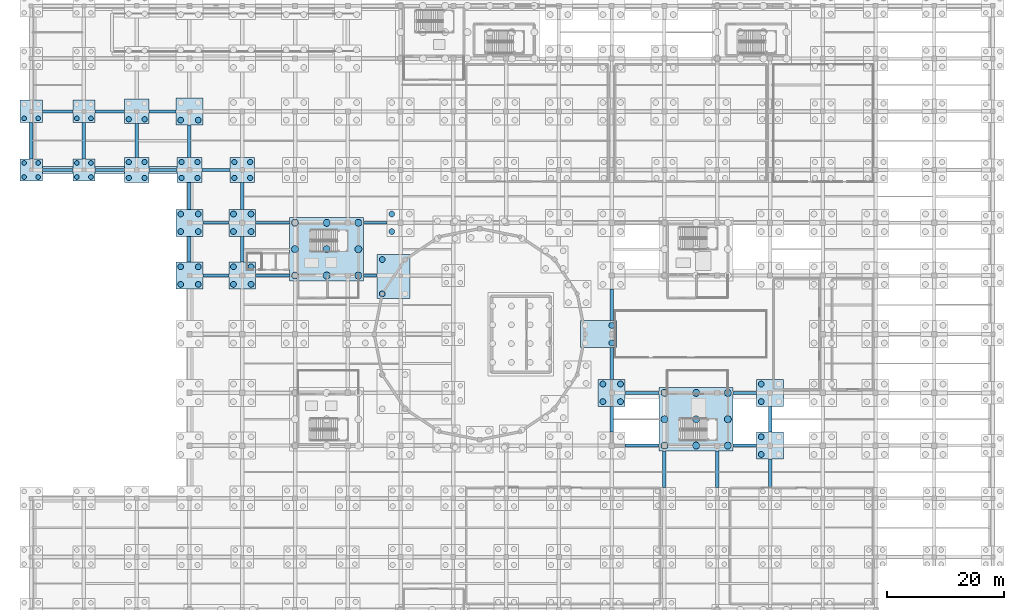
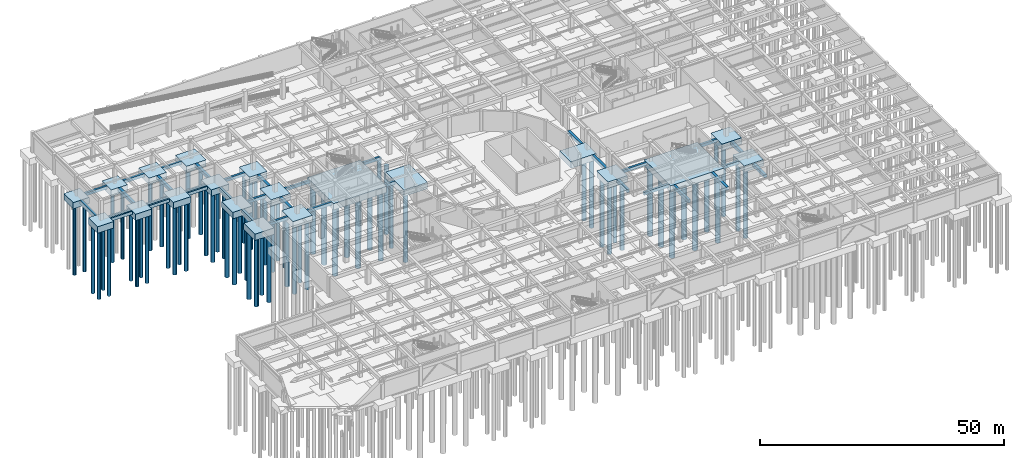
# One storey, part 5 of 62: 76 piles, 53 footings.
"""IFC4 building model written with IfcOpenShell, lengths in metres."""

import ifcopenshell
import ifcopenshell.guid

model = None  # the IFC model being written
_history = None  # IfcOwnerHistory: only IFC2X3 demands one
_inside = {}  # id of a spatial element -> (the spatial element, [elements in it])
_under = {}  # id of a project, library or spatial element -> (it, [spatial elements below it])
_declared = {}  # id of a project -> (the project, [libraries it declares])
_typed = {}  # id of a type object -> (the type object, [elements of that type])
_made_of = {}  # id of a material, layer set ... -> (it, [elements and type objects made of it])


def new_model(schema):
    """Start an empty IFC model of exactly this schema.

    Asked for "IFC4X3", IfcOpenShell would pick the latest addendum, in which some entities
    have other attributes; the version numbers below select the first issue.
    IFC2X3 requires an IfcOwnerHistory on every rooted entity: one is made here for all.
    """
    global model, _history
    if schema == "IFC4X3":
        model = ifcopenshell.file(schema_version=(4, 3, 0, 0))
    else:
        model = ifcopenshell.file(schema=schema)
    _inside.clear()
    _under.clear()
    _declared.clear()
    _typed.clear()
    _made_of.clear()
    _history = None
    if model.schema == "IFC2X3":
        org = make("IfcOrganization", Name="unknown")
        user = make(
            "IfcPersonAndOrganization",
            ThePerson=make("IfcPerson", FamilyName="unknown"),
            TheOrganization=org,
        )
        app = make(
            "IfcApplication",
            ApplicationDeveloper=org,
            Version="unknown",
            ApplicationFullName="unknown",
            ApplicationIdentifier="unknown",
        )
        _history = make(
            "IfcOwnerHistory",
            OwningUser=user,
            OwningApplication=app,
            ChangeAction="ADDED",
            CreationDate=0,
        )
    return model


def make(cls, **values):
    """One entity of the class cls with the attributes given. An attribute that is None is left unset."""
    return model.create_entity(
        cls, **{name: value for name, value in values.items() if value is not None}
    )


def rooted(cls, **values):
    """An entity with a GlobalId (a new one), such as an element, a storey or a relation."""
    return make(cls, GlobalId=ifcopenshell.guid.new(), OwnerHistory=_history, **values)


def si_unit(unit_type, name, prefix=None):
    """IfcSIUnit, for example si_unit("LENGTHUNIT", "METRE", prefix="MILLI")."""
    return make("IfcSIUnit", UnitType=unit_type, Prefix=prefix, Name=name)


def assignment(units):
    """IfcUnitAssignment: the units of a project."""
    return None if units is None else make("IfcUnitAssignment", Units=units)


def point(xyz):
    """IfcCartesianPoint."""
    return None if xyz is None else make("IfcCartesianPoint", Coordinates=xyz)


def direction(xyz):
    """IfcDirection."""
    return None if xyz is None else make("IfcDirection", DirectionRatios=xyz)


def frame(location, z_axis=None, x_axis=None):
    """IfcAxis2Placement3D, a coordinate frame: its origin and axes. An axis left out is left unset."""
    return make(
        "IfcAxis2Placement3D",
        Location=point(location),
        Axis=direction(z_axis),
        RefDirection=direction(x_axis),
    )


def frame_2d(location, x_axis=None):
    """IfcAxis2Placement2D, a coordinate frame in the plane: its origin and x axis."""
    return make(
        "IfcAxis2Placement2D", Location=point(location), RefDirection=direction(x_axis)
    )


def origin():
    """The frame at (0, 0, 0) with its axes left unset."""
    return frame((0.0, 0.0, 0.0))


def origin_2d():
    """The frame at (0, 0) in the plane with its x axis left unset."""
    return frame_2d((0.0, 0.0))


def place(relative_to, where):
    """IfcLocalPlacement: puts the frame where relative to a parent placement (None: the world)."""
    return make(
        "IfcLocalPlacement", PlacementRelTo=relative_to, RelativePlacement=where
    )


def context(
    kind, dimensions, precision=None, world=None, true_north=None, identifier=None
):
    """IfcGeometricRepresentationContext, for example the 3D "Model" context."""
    return make(
        "IfcGeometricRepresentationContext",
        ContextIdentifier=identifier,
        ContextType=kind,
        CoordinateSpaceDimension=dimensions,
        Precision=precision,
        WorldCoordinateSystem=world,
        TrueNorth=true_north,
    )


def subcontext(parent, identifier, kind, view, scale=None):
    """IfcGeometricRepresentationSubContext, for example "Body" below "Model"."""
    return make(
        "IfcGeometricRepresentationSubContext",
        ContextIdentifier=identifier,
        ContextType=kind,
        ParentContext=parent,
        TargetScale=scale,
        TargetView=view,
    )


def project(units=None, contexts=None):
    """IfcProject with its units and contexts."""
    return rooted(
        "IfcProject",
        Name="project",
        RepresentationContexts=contexts,
        UnitsInContext=assignment(units),
    )


def spatial(cls, under=None, at=None, **own):
    """A site, building, storey or space (cls), placed at a placement, below another one or the project."""
    s = rooted(cls, ObjectPlacement=at, **own)
    if under is not None:
        _under.setdefault(under.id(), (under, []))[1].append(s)
    return s


def polyline(points):
    """IfcPolyline through the points."""
    return make("IfcPolyline", Points=[point(p) for p in points])


def profile(cls, at=None, kind="AREA", **sizes):
    """A parametric profile (cls). Its sizes go by their IFC names, for example OverallWidth=200.0."""
    return make(cls, ProfileType=kind, Position=at, **sizes)


def rectangle(**sizes):
    """IfcRectangleProfileDef."""
    return profile("IfcRectangleProfileDef", **sizes)


def circle(**sizes):
    """IfcCircleProfileDef."""
    return profile("IfcCircleProfileDef", **sizes)


def outline(outer, holes=None, kind="AREA"):
    """IfcArbitraryClosedProfileDef: a profile drawn as a closed curve; with holes, ...WithVoids."""
    if holes is None:
        return make("IfcArbitraryClosedProfileDef", ProfileType=kind, OuterCurve=outer)
    return make(
        "IfcArbitraryProfileDefWithVoids",
        ProfileType=kind,
        OuterCurve=outer,
        InnerCurves=holes,
    )


def extrude(swept, where, along, depth):
    """IfcExtrudedAreaSolid: the profile swept, set in the frame where, extruded along a direction by depth."""
    return make(
        "IfcExtrudedAreaSolid",
        SweptArea=swept,
        Position=where,
        ExtrudedDirection=direction(along),
        Depth=depth,
    )


def shape(context_of_items, identifier, shape_type, items):
    """IfcShapeRepresentation: the items that make up one representation, for example the "Body"."""
    return make(
        "IfcShapeRepresentation",
        ContextOfItems=context_of_items,
        RepresentationIdentifier=identifier,
        RepresentationType=shape_type,
        Items=items,
    )


def material(Name=None, Category=None):
    """IfcMaterial."""
    return make("IfcMaterial", Name=Name, Category=Category)


def material_profile(
    of_material, cross_section, Name=None, Category=None, Priority=None
):
    """IfcMaterialProfile: a cross section and its material."""
    return make(
        "IfcMaterialProfile",
        Name=Name,
        Material=of_material,
        Profile=cross_section,
        Priority=Priority,
        Category=Category,
    )


def profile_set(profiles, Name=None, composite=None):
    """IfcMaterialProfileSet."""
    return make(
        "IfcMaterialProfileSet",
        Name=Name,
        MaterialProfiles=profiles,
        CompositeProfile=composite,
    )


def made_of(thing, what):
    """Note that an element or type object is made of a material, layer set ...; save() writes the relation."""
    if what is not None:
        _made_of.setdefault(what.id(), (what, []))[1].append(thing)
    return thing


def type_object(cls, material=None, **own):
    """A type object (cls), such as IfcWallType, which elements share."""
    return made_of(rooted(cls, **own), material)


def element(
    cls,
    number,
    at=None,
    inside=None,
    cuts=None,
    type_object=None,
    material=None,
    context=None,
    identifier="Body",
    shape_type=None,
    held_by="IfcProductDefinitionShape",
    body=None,
    shapes=None,
    **own,
):
    """One element of the class cls, such as IfcWall. Its Tag is "e" and its number.

    at: its placement. inside: the storey or other place that contains it. cuts: it is an
    opening in that element (IfcRelVoidsElement). A single representation is given by context,
    identifier, shape_type and body (its items); several are given by shapes. held_by: the class
    of the entity that holds the representations. save() writes the other relations.
    """
    e = rooted(cls, Tag="e%d" % number, ObjectPlacement=at, **own)
    if body is not None:
        shapes = [shape(context, identifier, shape_type, body)]
    if shapes is not None:
        e.Representation = make(held_by, Representations=shapes)
    if inside is not None:
        _inside.setdefault(inside.id(), (inside, []))[1].append(e)
    if cuts is not None:
        rooted(
            "IfcRelVoidsElement", RelatingBuildingElement=cuts, RelatedOpeningElement=e
        )
    if type_object is not None:
        _typed.setdefault(type_object.id(), (type_object, []))[1].append(e)
    return made_of(e, material)


def aggregate(whole, parts):
    """IfcRelAggregates: a whole, such as a stair, and the parts it consists of."""
    return rooted("IfcRelAggregates", RelatingObject=whole, RelatedObjects=parts)


def save(model, path):
    """Write the relations noted so far, then the file.

    IfcRelAggregates (storeys below a building ...), IfcRelContainedInSpatialStructure (elements
    in a storey), IfcRelDefinesByType, IfcRelAssociatesMaterial and IfcRelDeclares: one each for
    every whole, place, type object, material and project.
    """
    for whole, parts in _under.values():
        aggregate(whole, parts)
    for where, things in _inside.values():
        rooted(
            "IfcRelContainedInSpatialStructure",
            RelatedElements=things,
            RelatingStructure=where,
        )
    for kind, things in _typed.values():
        rooted("IfcRelDefinesByType", RelatedObjects=things, RelatingType=kind)
    for what, things in _made_of.values():
        rooted("IfcRelAssociatesMaterial", RelatedObjects=things, RelatingMaterial=what)
    for by, libraries in _declared.values():
        rooted("IfcRelDeclares", RelatingContext=by, RelatedDefinitions=libraries)
    model.write(path)


model = new_model("IFC4")

# Units and contexts
model_context = context("Model", 3, precision=1e-05, world=origin(), true_north=direction((0.0, 1.0)))
body_context = subcontext(model_context, "Body", "Model", "MODEL_VIEW")
ifc_project = project(units=[si_unit("LENGTHUNIT", "METRE"), si_unit("AREAUNIT", "SQUARE_METRE"), si_unit("VOLUMEUNIT", "CUBIC_METRE"), si_unit("PLANEANGLEUNIT", "RADIAN"), si_unit("MASSUNIT", "GRAM", prefix="KILO")], contexts=[model_context])

# Site, building, storey
site_placement = place(None, origin())
site = spatial("IfcSite", under=ifc_project, at=site_placement, CompositionType="ELEMENT")
building_placement = place(site_placement, origin())
building = spatial("IfcBuilding", under=site, at=building_placement, Name="Miravela Opera House", CompositionType="ELEMENT")
storey_placement = place(building_placement, frame((0.0, 0.0, -5.10009765625)))
storey = spatial("IfcBuildingStorey", under=building, at=storey_placement, Name="B01", CompositionType="ELEMENT", Elevation=-5.10009765625)

# Footings
ifc_material = material(Name="Concrete C35/45", Category="concrete")
footing_type_1 = type_object("IfcFootingType", Name="STR-GB-500X750", PredefinedType="FOOTING_BEAM", material=ifc_material)
footing_1_placement = place(storey_placement, frame((0.0, 0.0, -0.75)))
element("IfcFooting", 1, at=footing_1_placement, inside=storey, type_object=footing_type_1, Name="Seismic Grade Tie Beam GB-X-254", PredefinedType="FOOTING_BEAM", context=body_context, shape_type="SweptSolid", body=[
    extrude(outline(polyline([(101.300048828125, 36.75), (107.10009765625, 36.75), (107.10009765625, 37.25), (101.300048828125, 37.25), (101.300048828125, 36.75)])), origin(), (0.0, 0.0, 1.0), 0.75),
])
footing_2_placement = place(storey_placement, frame((0.0, 0.0, -0.75)))
element("IfcFooting", 2, at=footing_2_placement, inside=storey, type_object=footing_type_1, Name="Seismic Grade Tie Beam GB-X-255", PredefinedType="FOOTING_BEAM", context=body_context, shape_type="SweptSolid", body=[
    extrude(outline(polyline([(119.699951171875, 36.75), (123.699951171875, 36.75), (123.699951171875, 37.25), (119.699951171875, 37.25), (119.699951171875, 36.75)])), origin(), (0.0, 0.0, 1.0), 0.75),
])
footing_3_placement = place(storey_placement, frame((0.0, 0.0, -0.75)))
element("IfcFooting", 3, at=footing_3_placement, inside=storey, type_object=footing_type_1, Name="Seismic Grade Tie Beam GB-X-264", PredefinedType="FOOTING_BEAM", context=body_context, shape_type="SweptSolid", body=[
    extrude(outline(polyline([(101.300048828125, 45.75), (107.10009765625, 45.75), (107.10009765625, 46.25), (101.300048828125, 46.25), (101.300048828125, 45.75)])), origin(), (0.0, 0.0, 1.0), 0.75),
])
footing_4_placement = place(storey_placement, frame((0.0, 0.0, -0.75)))
element("IfcFooting", 4, at=footing_4_placement, inside=storey, type_object=footing_type_1, Name="Seismic Grade Tie Beam GB-X-265", PredefinedType="FOOTING_BEAM", context=body_context, shape_type="SweptSolid", body=[
    extrude(outline(polyline([(119.699951171875, 45.75), (123.699951171875, 45.75), (123.699951171875, 46.25), (119.699951171875, 46.25), (119.699951171875, 45.75)])), origin(), (0.0, 0.0, 1.0), 0.75),
])
footing_5_placement = place(storey_placement, frame((0.0, 0.0, -0.75)))
element("IfcFooting", 5, at=footing_5_placement, inside=storey, type_object=footing_type_1, Name="Seismic Grade Tie Beam GB-X-277", PredefinedType="FOOTING_BEAM", context=body_context, shape_type="SweptSolid", body=[
    extrude(outline(polyline([(29.300048828125, 65.75), (33.699951171875, 65.75), (33.699951171875, 66.25), (29.300048828125, 66.25), (29.300048828125, 65.75)])), origin(), (0.0, 0.0, 1.0), 0.75),
])
footing_6_placement = place(storey_placement, frame((0.0, 0.0, -0.75)))
element("IfcFooting", 6, at=footing_6_placement, inside=storey, type_object=footing_type_1, Name="Seismic Grade Tie Beam GB-X-278", PredefinedType="FOOTING_BEAM", context=body_context, shape_type="SweptSolid", body=[
    extrude(outline(polyline([(38.300048828125, 65.75), (44.10009765625, 65.75), (44.10009765625, 66.25), (38.300048828125, 66.25), (38.300048828125, 65.75)])), origin(), (0.0, 0.0, 1.0), 0.75),
])
footing_7_placement = place(storey_placement, frame((0.0, 0.0, -0.75)))
element("IfcFooting", 7, at=footing_7_placement, inside=storey, type_object=footing_type_1, Name="Seismic Grade Tie Beam GB-X-279", PredefinedType="FOOTING_BEAM", context=body_context, shape_type="SweptSolid", body=[
    extrude(outline(polyline([(56.699951171875, 65.75), (59.02099609375, 65.75), (59.02099609375, 66.25), (56.699951171875, 66.25), (56.699951171875, 65.75)])), origin(), (0.0, 0.0, 1.0), 0.75),
])
footing_8_placement = place(storey_placement, frame((0.0, 0.0, -0.75)))
element("IfcFooting", 8, at=footing_8_placement, inside=storey, type_object=footing_type_1, Name="Seismic Grade Tie Beam GB-X-287", PredefinedType="FOOTING_BEAM", context=body_context, shape_type="SweptSolid", body=[
    extrude(outline(polyline([(29.300048828125, 74.75), (33.699951171875, 74.75), (33.699951171875, 75.25), (29.300048828125, 75.25), (29.300048828125, 74.75)])), origin(), (0.0, 0.0, 1.0), 0.75),
])
footing_9_placement = place(storey_placement, frame((0.0, 0.0, -0.75)))
element("IfcFooting", 9, at=footing_9_placement, inside=storey, type_object=footing_type_1, Name="Seismic Grade Tie Beam GB-X-288", PredefinedType="FOOTING_BEAM", context=body_context, shape_type="SweptSolid", body=[
    extrude(outline(polyline([(38.300048828125, 74.75), (44.10009765625, 74.75), (44.10009765625, 75.25), (38.300048828125, 75.25), (38.300048828125, 74.75)])), origin(), (0.0, 0.0, 1.0), 0.75),
])
footing_10_placement = place(storey_placement, frame((0.0, 0.0, -0.75)))
element("IfcFooting", 10, at=footing_10_placement, inside=storey, type_object=footing_type_1, Name="Seismic Grade Tie Beam GB-X-289", PredefinedType="FOOTING_BEAM", context=body_context, shape_type="SweptSolid", body=[
    extrude(outline(polyline([(56.699951171875, 74.75), (60.699951171875, 74.75), (60.699951171875, 75.25), (56.699951171875, 75.25), (56.699951171875, 74.75)])), origin(), (0.0, 0.0, 1.0), 0.75),
])
footing_11_placement = place(storey_placement, frame((0.0, 0.0, -0.75)))
element("IfcFooting", 11, at=footing_11_placement, inside=storey, type_object=footing_type_1, Name="Seismic Grade Tie Beam GB-X-301", PredefinedType="FOOTING_BEAM", context=body_context, shape_type="SweptSolid", body=[
    extrude(outline(polyline([(1.89990234375, 83.75), (7.10009765625, 83.75), (7.10009765625, 84.25), (1.89990234375, 84.25), (1.89990234375, 83.75)])), origin(), (0.0, 0.0, 1.0), 0.75),
])
footing_12_placement = place(storey_placement, frame((0.0, 0.0, -0.75)))
element("IfcFooting", 12, at=footing_12_placement, inside=storey, type_object=footing_type_1, Name="Seismic Grade Tie Beam GB-X-302", PredefinedType="FOOTING_BEAM", context=body_context, shape_type="SweptSolid", body=[
    extrude(outline(polyline([(10.89990234375, 83.75), (15.89990234375, 83.75), (15.89990234375, 84.25), (10.89990234375, 84.25), (10.89990234375, 83.75)])), origin(), (0.0, 0.0, 1.0), 0.75),
])
footing_13_placement = place(storey_placement, frame((0.0, 0.0, -0.75)))
element("IfcFooting", 13, at=footing_13_placement, inside=storey, type_object=footing_type_1, Name="Seismic Grade Tie Beam GB-X-303", PredefinedType="FOOTING_BEAM", context=body_context, shape_type="SweptSolid", body=[
    extrude(outline(polyline([(20.10009765625, 83.75), (24.89990234375, 83.75), (24.89990234375, 84.25), (20.10009765625, 84.25), (20.10009765625, 83.75)])), origin(), (0.0, 0.0, 1.0), 0.75),
])
footing_14_placement = place(storey_placement, frame((0.0, 0.0, -0.75)))
element("IfcFooting", 14, at=footing_14_placement, inside=storey, type_object=footing_type_1, Name="Seismic Grade Tie Beam GB-X-304", PredefinedType="FOOTING_BEAM", context=body_context, shape_type="SweptSolid", body=[
    extrude(outline(polyline([(29.10009765625, 83.75), (33.89990234375, 83.75), (33.89990234375, 84.25), (29.10009765625, 84.25), (29.10009765625, 83.75)])), origin(), (0.0, 0.0, 1.0), 0.75),
])
footing_15_placement = place(storey_placement, frame((0.0, 0.0, -0.75)))
element("IfcFooting", 15, at=footing_15_placement, inside=storey, type_object=footing_type_1, Name="Seismic Grade Tie Beam GB-X-319", PredefinedType="FOOTING_BEAM", context=body_context, shape_type="SweptSolid", body=[
    extrude(outline(polyline([(1.89990234375, 93.75), (7.10009765625, 93.75), (7.10009765625, 94.25), (1.89990234375, 94.25), (1.89990234375, 93.75)])), origin(), (0.0, 0.0, 1.0), 0.75),
])
footing_16_placement = place(storey_placement, frame((0.0, 0.0, -0.75)))
element("IfcFooting", 16, at=footing_16_placement, inside=storey, type_object=footing_type_1, Name="Seismic Grade Tie Beam GB-X-320", PredefinedType="FOOTING_BEAM", context=body_context, shape_type="SweptSolid", body=[
    extrude(outline(polyline([(10.89990234375, 93.75), (15.89990234375, 93.75), (15.89990234375, 94.25), (10.89990234375, 94.25), (10.89990234375, 93.75)])), origin(), (0.0, 0.0, 1.0), 0.75),
])
footing_17_placement = place(storey_placement, frame((0.0, 0.0, -0.75)))
element("IfcFooting", 17, at=footing_17_placement, inside=storey, type_object=footing_type_1, Name="Seismic Grade Tie Beam GB-X-321", PredefinedType="FOOTING_BEAM", context=body_context, shape_type="SweptSolid", body=[
    extrude(outline(polyline([(20.10009765625, 93.75), (24.699951171875, 93.75), (24.699951171875, 94.25), (20.10009765625, 94.25), (20.10009765625, 93.75)])), origin(), (0.0, 0.0, 1.0), 0.75),
])
footing_type_2 = type_object("IfcFootingType", Name="STR-GB-600X800", PredefinedType="FOOTING_BEAM", material=ifc_material)
footing_18_placement = place(storey_placement, frame((0.0, 0.0, -0.7998046875)))
element("IfcFooting", 18, at=footing_18_placement, inside=storey, type_object=footing_type_2, Name="Seismic Grade Tie Beam GB-Y-004", PredefinedType="FOOTING_BEAM", context=body_context, shape_type="SweptSolid", body=[
    extrude(outline(polyline([(-0.300048828125, 85.89990234375), (0.300048828125, 85.89990234375), (0.300048828125, 92.10009765625), (-0.300048828125, 92.10009765625), (-0.300048828125, 85.89990234375)])), origin(), (0.0, 0.0, 1.0), 0.7998046875),
])
footing_19_placement = place(storey_placement, frame((0.0, 0.0, -0.7998046875)))
element("IfcFooting", 19, at=footing_19_placement, inside=storey, type_object=footing_type_2, Name="Seismic Grade Tie Beam GB-Y-010", PredefinedType="FOOTING_BEAM", context=body_context, shape_type="SweptSolid", body=[
    extrude(outline(polyline([(8.699951171875, 85.89990234375), (9.300048828125, 85.89990234375), (9.300048828125, 92.10009765625), (8.699951171875, 92.10009765625), (8.699951171875, 85.89990234375)])), origin(), (0.0, 0.0, 1.0), 0.7998046875),
])
footing_20_placement = place(storey_placement, frame((0.0, 0.0, -0.7998046875)))
element("IfcFooting", 20, at=footing_20_placement, inside=storey, type_object=footing_type_2, Name="Seismic Grade Tie Beam GB-Y-016", PredefinedType="FOOTING_BEAM", context=body_context, shape_type="SweptSolid", body=[
    extrude(outline(polyline([(17.699951171875, 86.10009765625), (18.300048828125, 86.10009765625), (18.300048828125, 91.89990234375), (17.699951171875, 91.89990234375), (17.699951171875, 86.10009765625)])), origin(), (0.0, 0.0, 1.0), 0.7998046875),
])
footing_21_placement = place(storey_placement, frame((0.0, 0.0, -0.7998046875)))
element("IfcFooting", 21, at=footing_21_placement, inside=storey, type_object=footing_type_2, Name="Seismic Grade Tie Beam GB-Y-025", PredefinedType="FOOTING_BEAM", context=body_context, shape_type="SweptSolid", body=[
    extrude(outline(polyline([(26.699951171875, 68.300048828125), (27.300048828125, 68.300048828125), (27.300048828125, 72.699951171875), (26.699951171875, 72.699951171875), (26.699951171875, 68.300048828125)])), origin(), (0.0, 0.0, 1.0), 0.7998046875),
])
footing_22_placement = place(storey_placement, frame((0.0, 0.0, -0.7998046875)))
element("IfcFooting", 22, at=footing_22_placement, inside=storey, type_object=footing_type_2, Name="Seismic Grade Tie Beam GB-Y-026", PredefinedType="FOOTING_BEAM", context=body_context, shape_type="SweptSolid", body=[
    extrude(outline(polyline([(26.699951171875, 77.300048828125), (27.300048828125, 77.300048828125), (27.300048828125, 81.89990234375), (26.699951171875, 81.89990234375), (26.699951171875, 77.300048828125)])), origin(), (0.0, 0.0, 1.0), 0.7998046875),
])
footing_23_placement = place(storey_placement, frame((0.0, 0.0, -0.7998046875)))
element("IfcFooting", 23, at=footing_23_placement, inside=storey, type_object=footing_type_2, Name="Seismic Grade Tie Beam GB-Y-027", PredefinedType="FOOTING_BEAM", context=body_context, shape_type="SweptSolid", body=[
    extrude(outline(polyline([(26.699951171875, 86.10009765625), (27.300048828125, 86.10009765625), (27.300048828125, 91.699951171875), (26.699951171875, 91.699951171875), (26.699951171875, 86.10009765625)])), origin(), (0.0, 0.0, 1.0), 0.7998046875),
])
footing_24_placement = place(storey_placement, frame((0.0, 0.0, -0.7998046875)))
element("IfcFooting", 24, at=footing_24_placement, inside=storey, type_object=footing_type_2, Name="Seismic Grade Tie Beam GB-Y-036", PredefinedType="FOOTING_BEAM", context=body_context, shape_type="SweptSolid", body=[
    extrude(outline(polyline([(35.699951171875, 68.300048828125), (36.300048828125, 68.300048828125), (36.300048828125, 72.699951171875), (35.699951171875, 72.699951171875), (35.699951171875, 68.300048828125)])), origin(), (0.0, 0.0, 1.0), 0.7998046875),
])
footing_25_placement = place(storey_placement, frame((0.0, 0.0, -0.7998046875)))
element("IfcFooting", 25, at=footing_25_placement, inside=storey, type_object=footing_type_2, Name="Seismic Grade Tie Beam GB-Y-037", PredefinedType="FOOTING_BEAM", context=body_context, shape_type="SweptSolid", body=[
    extrude(outline(polyline([(35.699951171875, 77.300048828125), (36.300048828125, 77.300048828125), (36.300048828125, 81.89990234375), (35.699951171875, 81.89990234375), (35.699951171875, 77.300048828125)])), origin(), (0.0, 0.0, 1.0), 0.7998046875),
])
footing_26_placement = place(storey_placement, frame((0.0, 0.0, -0.7998046875)))
element("IfcFooting", 26, at=footing_26_placement, inside=storey, type_object=footing_type_2, Name="Seismic Grade Tie Beam GB-Y-102", PredefinedType="FOOTING_BEAM", context=body_context, shape_type="SweptSolid", body=[
    extrude(outline(polyline([(98.699951171875, 39.300048828125), (99.300048828125, 39.300048828125), (99.300048828125, 43.699951171875), (98.699951171875, 43.699951171875), (98.699951171875, 39.300048828125)])), origin(), (0.0, 0.0, 1.0), 0.7998046875),
])
footing_27_placement = place(storey_placement, frame((0.0, 0.0, -0.7998046875)))
element("IfcFooting", 27, at=footing_27_placement, inside=storey, type_object=footing_type_2, Name="Seismic Grade Tie Beam GB-Y-103", PredefinedType="FOOTING_BEAM", context=body_context, shape_type="SweptSolid", body=[
    extrude(outline(polyline([(98.699951171875, 48.300048828125), (99.300048828125, 48.300048828125), (99.300048828125, 53.699951171875), (98.699951171875, 53.699951171875), (98.699951171875, 48.300048828125)])), origin(), (0.0, 0.0, 1.0), 0.7998046875),
])
footing_28_placement = place(storey_placement, frame((0.0, 0.0, -0.7998046875)))
element("IfcFooting", 28, at=footing_28_placement, inside=storey, type_object=footing_type_2, Name="Seismic Grade Tie Beam GB-Y-104", PredefinedType="FOOTING_BEAM", context=body_context, shape_type="SweptSolid", body=[
    extrude(outline(polyline([(98.699951171875, 58.300048828125), (99.300048828125, 58.300048828125), (99.300048828125, 63.699951171875), (98.699951171875, 63.699951171875), (98.699951171875, 58.300048828125)])), origin(), (0.0, 0.0, 1.0), 0.7998046875),
])
footing_29_placement = place(storey_placement, frame((0.0, 0.0, -0.7998046875)))
element("IfcFooting", 29, at=footing_29_placement, inside=storey, type_object=footing_type_2, Name="Seismic Grade Tie Beam GB-Y-113", PredefinedType="FOOTING_BEAM", context=body_context, shape_type="SweptSolid", body=[
    extrude(outline(polyline([(107.699951171875, 29.89990234375), (108.300048828125, 29.89990234375), (108.300048828125, 36.10009765625), (107.699951171875, 36.10009765625), (107.699951171875, 29.89990234375)])), origin(), (0.0, 0.0, 1.0), 0.7998046875),
])
footing_30_placement = place(storey_placement, frame((0.0, 0.0, -0.7998046875)))
element("IfcFooting", 30, at=footing_30_placement, inside=storey, type_object=footing_type_2, Name="Seismic Grade Tie Beam GB-Y-120", PredefinedType="FOOTING_BEAM", context=body_context, shape_type="SweptSolid", body=[
    extrude(outline(polyline([(116.699951171875, 29.89990234375), (117.300048828125, 29.89990234375), (117.300048828125, 36.10009765625), (116.699951171875, 36.10009765625), (116.699951171875, 29.89990234375)])), origin(), (0.0, 0.0, 1.0), 0.7998046875),
])
footing_31_placement = place(storey_placement, frame((0.0, 0.0, -0.7998046875)))
element("IfcFooting", 31, at=footing_31_placement, inside=storey, type_object=footing_type_2, Name="Seismic Grade Tie Beam GB-Y-126", PredefinedType="FOOTING_BEAM", context=body_context, shape_type="SweptSolid", body=[
    extrude(outline(polyline([(125.699951171875, 29.89990234375), (126.300048828125, 29.89990234375), (126.300048828125, 34.699951171875), (125.699951171875, 34.699951171875), (125.699951171875, 29.89990234375)])), origin(), (0.0, 0.0, 1.0), 0.7998046875),
])
footing_32_placement = place(storey_placement, frame((0.0, 0.0, -0.7998046875)))
element("IfcFooting", 32, at=footing_32_placement, inside=storey, type_object=footing_type_2, Name="Seismic Grade Tie Beam GB-Y-127", PredefinedType="FOOTING_BEAM", context=body_context, shape_type="SweptSolid", body=[
    extrude(outline(polyline([(125.699951171875, 39.300048828125), (126.300048828125, 39.300048828125), (126.300048828125, 43.699951171875), (125.699951171875, 43.699951171875), (125.699951171875, 39.300048828125)])), origin(), (0.0, 0.0, 1.0), 0.7998046875),
])
footing_type_3 = type_object("IfcFootingType", Name="STR-PC-12600X10800X1600", PredefinedType="PILE_CAP", material=ifc_material)
for number, where, z_axis, x_axis, name in (
    (33, (50.39990234375, 70.5, -1.599853515625), (0.0, 0.0, 1.0), (1.0, 0.0, 0.0), "Pile Cap PC-B01-054 (PC-03)"),
    (34, (113.39990234375, 41.5, -1.599853515625), (0.0, 0.0, 1.0), (1.0, 0.0, 0.0), "Pile Cap PC-B01-128 (PC-03)"),
):
    element("IfcFooting", number, at=place(storey_placement, frame(where, z_axis=z_axis, x_axis=x_axis)), inside=storey, type_object=footing_type_3, Name=name, PredefinedType="PILE_CAP", context=body_context, shape_type="SweptSolid", body=[
        extrude(rectangle(XDim=12.60009765625, YDim=10.800048828125, at=origin_2d()), origin(), (0.0, 0.0, 1.0), 1.60009765625),
    ])
footing_type_4 = type_object("IfcFootingType", Name="STR-PC-3800X3800X1600", PredefinedType="PILE_CAP", material=ifc_material)
for number, where, z_axis, x_axis, name in (
    (35, (0.0, 84.0, -1.599853515625), (0.0, 0.0, 1.0), (1.0, 0.0, 0.0), "Pile Cap PC-B01-005 (PC-01)"),
    (36, (0.0, 94.0, -1.599853515625), (0.0, 0.0, 1.0), (1.0, 0.0, 0.0), "Pile Cap PC-B01-006 (PC-01)"),
    (37, (9.0, 84.0, -1.599853515625), (0.0, 0.0, 1.0), (1.0, 0.0, 0.0), "Pile Cap PC-B01-013 (PC-01)"),
    (38, (9.0, 94.0, -1.599853515625), (0.0, 0.0, 1.0), (1.0, 0.0, 0.0), "Pile Cap PC-B01-014 (PC-01)"),
):
    element("IfcFooting", number, at=place(storey_placement, frame(where, z_axis=z_axis, x_axis=x_axis)), inside=storey, type_object=footing_type_4, Name=name, PredefinedType="PILE_CAP", context=body_context, shape_type="SweptSolid", body=[
        extrude(rectangle(XDim=3.800048828125, YDim=3.800048828125, at=origin_2d()), origin(), (0.0, 0.0, 1.0), 1.60009765625),
    ])
footing_type_5 = type_object("IfcFootingType", Name="STR-PC-4200X4200X1600", PredefinedType="PILE_CAP", material=ifc_material)
for number, where, z_axis, x_axis, name in (
    (39, (18.0, 84.0, -1.599853515625), (0.0, 0.0, 1.0), (1.0, 0.0, 0.0), "Pile Cap PC-B01-021 (PC-02)"),
    (40, (18.0, 94.0, -1.599853515625), (0.0, 0.0, 1.0), (1.0, 0.0, 0.0), "Pile Cap PC-B01-022 (PC-02)"),
    (41, (27.0, 84.0, -1.599853515625), (0.0, 0.0, 1.0), (1.0, 0.0, 0.0), "Pile Cap PC-B01-033 (PC-02)"),
    (42, (36.0, 84.0, -1.599853515625), (0.0, 0.0, 1.0), (1.0, 0.0, 0.0), "Pile Cap PC-B01-044 (PC-02)"),
):
    element("IfcFooting", number, at=place(storey_placement, frame(where, z_axis=z_axis, x_axis=x_axis)), inside=storey, type_object=footing_type_5, Name=name, PredefinedType="PILE_CAP", context=body_context, shape_type="SweptSolid", body=[
        extrude(rectangle(XDim=4.199951171875, YDim=4.199951171875, at=origin_2d()), origin(), (0.0, 0.0, 1.0), 1.60009765625),
    ])
footing_type_6 = type_object("IfcFootingType", Name="STR-PC-4600X4600X1600", PredefinedType="PILE_CAP", material=ifc_material)
for number, where, z_axis, x_axis, name in (
    (43, (27.0, 66.0, -1.599853515625), (0.0, 0.0, 1.0), (1.0, 0.0, 0.0), "Pile Cap PC-B01-031 (PC-04)"),
    (44, (27.0, 75.0, -1.599853515625), (0.0, 0.0, 1.0), (1.0, 0.0, 0.0), "Pile Cap PC-B01-032 (PC-04)"),
    (45, (27.0, 94.0, -1.599853515625), (0.0, 0.0, 1.0), (1.0, 0.0, 0.0), "Pile Cap PC-B01-034 (PC-04)"),
    (46, (36.0, 66.0, -1.599853515625), (0.0, 0.0, 1.0), (1.0, 0.0, 0.0), "Pile Cap PC-B01-042 (PC-04)"),
    (47, (36.0, 75.0, -1.599853515625), (0.0, 0.0, 1.0), (1.0, 0.0, 0.0), "Pile Cap PC-B01-043 (PC-04)"),
    (48, (99.0, 46.0, -1.599853515625), (0.0, 0.0, 1.0), (1.0, 0.0, 0.0), "Pile Cap PC-B01-116 (PC-04)"),
    (49, (126.0, 37.0, -1.599853515625), (0.0, 0.0, 1.0), (1.0, 0.0, 0.0), "Pile Cap PC-B01-142 (PC-04)"),
    (50, (126.0, 46.0, -1.599853515625), (0.0, 0.0, 1.0), (1.0, 0.0, 0.0), "Pile Cap PC-B01-143 (PC-04)"),
):
    element("IfcFooting", number, at=place(storey_placement, frame(where, z_axis=z_axis, x_axis=x_axis)), inside=storey, type_object=footing_type_6, Name=name, PredefinedType="PILE_CAP", context=body_context, shape_type="SweptSolid", body=[
        extrude(rectangle(XDim=4.60009765625, YDim=4.60009765625, at=origin_2d()), origin(), (0.0, 0.0, 1.0), 1.60009765625),
    ])
footing_type_7 = type_object("IfcFootingType", Name="STR-PC-5600X7500X1600", PredefinedType="PILE_CAP", material=ifc_material)
footing_33_placement = place(storey_placement, frame((61.821044921875, 65.80810546875, -1.599853515625), z_axis=(0.0, 0.0, 1.0), x_axis=(1.0, 0.0, 0.0)))
element("IfcFooting", 51, at=footing_33_placement, inside=storey, type_object=footing_type_7, Name="Pile Cap PC-B01-073 (PC-06)", PredefinedType="PILE_CAP", context=body_context, shape_type="SweptSolid", body=[
    extrude(rectangle(XDim=5.60009765625, YDim=7.5, at=origin_2d()), origin(), (0.0, 0.0, 1.0), 1.60009765625),
])
footing_type_8 = type_object("IfcFootingType", Name="STR-PC-6100X4600X1600", PredefinedType="PILE_CAP", material=ifc_material)
footing_34_placement = place(storey_placement, frame((96.75, 56.0, -1.599853515625), z_axis=(0.0, 0.0, 1.0), x_axis=(1.0, 0.0, 0.0)))
element("IfcFooting", 52, at=footing_34_placement, inside=storey, type_object=footing_type_8, Name="Pile Cap PC-B01-117 (PC-08)", PredefinedType="PILE_CAP", context=body_context, shape_type="SweptSolid", body=[
    extrude(rectangle(XDim=6.10009765625, YDim=4.60009765625, at=origin_2d()), origin(), (0.0, 0.0, 1.0), 1.60009765625),
])

# Piles
ifc_material_profile_1 = material_profile(ifc_material, circle(Radius=0.5, at=origin_2d()), Name="PILE-D1000")
ifc_profile_set_1 = profile_set([ifc_material_profile_1])
pile_type_1 = type_object("IfcPileType", Name="STR-PILE-D1000", PredefinedType="BORED", material=ifc_profile_set_1)
for number, where, z_axis, x_axis, name in (
    (53, (25.5, 64.5, -1.449951171875), (0.0, 0.0, -1.0), (1.0, 0.0, 0.0), "Bored Pile P-126"),
    (54, (25.5, 67.5, -1.449951171875), (0.0, 0.0, -1.0), (1.0, 0.0, 0.0), "Bored Pile P-127"),
    (55, (28.5, 64.5, -1.449951171875), (0.0, 0.0, -1.0), (1.0, 0.0, 0.0), "Bored Pile P-128"),
    (56, (28.5, 67.5, -1.449951171875), (0.0, 0.0, -1.0), (1.0, 0.0, 0.0), "Bored Pile P-129"),
    (57, (25.5, 73.5, -1.449951171875), (0.0, 0.0, -1.0), (1.0, 0.0, 0.0), "Bored Pile P-130"),
    (58, (25.5, 76.5, -1.449951171875), (0.0, 0.0, -1.0), (1.0, 0.0, 0.0), "Bored Pile P-131"),
    (59, (28.5, 73.5, -1.449951171875), (0.0, 0.0, -1.0), (1.0, 0.0, 0.0), "Bored Pile P-132"),
    (60, (28.5, 76.5, -1.449951171875), (0.0, 0.0, -1.0), (1.0, 0.0, 0.0), "Bored Pile P-133"),
    (61, (25.5, 92.5, -1.449951171875), (0.0, 0.0, -1.0), (1.0, 0.0, 0.0), "Bored Pile P-138"),
    (62, (28.5, 92.5, -1.449951171875), (0.0, 0.0, -1.0), (1.0, 0.0, 0.0), "Bored Pile P-140"),
    (63, (34.5, 64.5, -1.449951171875), (0.0, 0.0, -1.0), (1.0, 0.0, 0.0), "Bored Pile P-170"),
    (64, (34.5, 67.5, -1.449951171875), (0.0, 0.0, -1.0), (1.0, 0.0, 0.0), "Bored Pile P-171"),
    (65, (37.5, 64.5, -1.449951171875), (0.0, 0.0, -1.0), (1.0, 0.0, 0.0), "Bored Pile P-172"),
    (66, (37.5, 67.5, -1.449951171875), (0.0, 0.0, -1.0), (1.0, 0.0, 0.0), "Bored Pile P-173"),
    (67, (34.5, 73.5, -1.449951171875), (0.0, 0.0, -1.0), (1.0, 0.0, 0.0), "Bored Pile P-174"),
    (68, (34.5, 76.5, -1.449951171875), (0.0, 0.0, -1.0), (1.0, 0.0, 0.0), "Bored Pile P-175"),
    (69, (37.5, 73.5, -1.449951171875), (0.0, 0.0, -1.0), (1.0, 0.0, 0.0), "Bored Pile P-176"),
    (70, (37.5, 76.5, -1.449951171875), (0.0, 0.0, -1.0), (1.0, 0.0, 0.0), "Bored Pile P-177"),
    (71, (59.8701171875, 62.88818359375, -1.449951171875), (0.0, 0.0, -1.0), (1.0, 0.0, 0.0), "Bored Pile P-313"),
    (72, (59.8701171875, 68.727783203125, -1.449951171875), (0.0, 0.0, -1.0), (1.0, 0.0, 0.0), "Bored Pile P-314"),
    (73, (61.5, 73.5, -1.449951171875), (0.0, 0.0, -1.0), (1.0, 0.0, 0.0), "Bored Pile P-317"),
    (74, (61.5, 76.5, -1.449951171875), (0.0, 0.0, -1.0), (1.0, 0.0, 0.0), "Bored Pile P-318"),
    (75, (97.5, 44.5, -1.449951171875), (0.0, 0.0, -1.0), (1.0, 0.0, 0.0), "Bored Pile P-502"),
    (76, (97.5, 47.5, -1.449951171875), (0.0, 0.0, -1.0), (1.0, 0.0, 0.0), "Bored Pile P-503"),
    (77, (100.5, 44.5, -1.449951171875), (0.0, 0.0, -1.0), (1.0, 0.0, 0.0), "Bored Pile P-504"),
    (78, (100.5, 47.5, -1.449951171875), (0.0, 0.0, -1.0), (1.0, 0.0, 0.0), "Bored Pile P-505"),
    (79, (99.0, 54.5, -1.449951171875), (0.0, 0.0, -1.0), (1.0, 0.0, 0.0), "Bored Pile P-508"),
    (80, (99.0, 57.5, -1.449951171875), (0.0, 0.0, -1.0), (1.0, 0.0, 0.0), "Bored Pile P-509"),
    (81, (124.5, 35.5, -1.449951171875), (0.0, 0.0, -1.0), (1.0, 0.0, 0.0), "Bored Pile P-632"),
    (82, (124.5, 38.5, -1.449951171875), (0.0, 0.0, -1.0), (1.0, 0.0, 0.0), "Bored Pile P-633"),
    (83, (124.5, 44.5, -1.449951171875), (0.0, 0.0, -1.0), (1.0, 0.0, 0.0), "Bored Pile P-636"),
    (84, (124.5, 47.5, -1.449951171875), (0.0, 0.0, -1.0), (1.0, 0.0, 0.0), "Bored Pile P-637"),
):
    element("IfcPile", number, at=place(storey_placement, frame(where, z_axis=z_axis, x_axis=x_axis)), inside=storey, type_object=pile_type_1, Name=name, PredefinedType="BORED", context=body_context, shape_type="SweptSolid", body=[
        extrude(circle(Radius=0.5, at=origin_2d()), origin(), (0.0, 0.0, 1.0), 17.14990234375),
    ])
ifc_material_profile_2 = material_profile(ifc_material, circle(Radius=0.60009765625, at=origin_2d()), Name="PILE-D1200")
ifc_profile_set_2 = profile_set([ifc_material_profile_2])
pile_type_2 = type_object("IfcPileType", Name="STR-PILE-D1200", PredefinedType="BORED", material=ifc_profile_set_2)
for number, where, z_axis, x_axis, name in (
    (85, (45.0, 66.0, -1.449951171875), (0.0, 0.0, -1.0), (1.0, 0.0, 0.0), "Bored Pile P-223"),
    (86, (45.0, 70.5, -1.449951171875), (0.0, 0.0, -1.0), (1.0, 0.0, 0.0), "Bored Pile P-224"),
    (87, (45.0, 75.0, -1.449951171875), (0.0, 0.0, -1.0), (1.0, 0.0, 0.0), "Bored Pile P-225"),
    (88, (50.39990234375, 66.0, -1.449951171875), (0.0, 0.0, -1.0), (1.0, 0.0, 0.0), "Bored Pile P-226"),
    (89, (50.39990234375, 70.5, -1.449951171875), (0.0, 0.0, -1.0), (1.0, 0.0, 0.0), "Bored Pile P-227"),
    (90, (50.39990234375, 75.0, -1.449951171875), (0.0, 0.0, -1.0), (1.0, 0.0, 0.0), "Bored Pile P-228"),
    (91, (55.800048828125, 66.0, -1.449951171875), (0.0, 0.0, -1.0), (1.0, 0.0, 0.0), "Bored Pile P-229"),
    (92, (55.800048828125, 70.5, -1.449951171875), (0.0, 0.0, -1.0), (1.0, 0.0, 0.0), "Bored Pile P-230"),
    (93, (55.800048828125, 75.0, -1.449951171875), (0.0, 0.0, -1.0), (1.0, 0.0, 0.0), "Bored Pile P-231"),
    (94, (108.0, 37.0, -1.449951171875), (0.0, 0.0, -1.0), (1.0, 0.0, 0.0), "Bored Pile P-550"),
    (95, (108.0, 41.5, -1.449951171875), (0.0, 0.0, -1.0), (1.0, 0.0, 0.0), "Bored Pile P-551"),
    (96, (108.0, 46.0, -1.449951171875), (0.0, 0.0, -1.0), (1.0, 0.0, 0.0), "Bored Pile P-552"),
    (97, (113.39990234375, 37.0, -1.449951171875), (0.0, 0.0, -1.0), (1.0, 0.0, 0.0), "Bored Pile P-553"),
    (98, (113.39990234375, 41.5, -1.449951171875), (0.0, 0.0, -1.0), (1.0, 0.0, 0.0), "Bored Pile P-554"),
    (99, (113.39990234375, 46.0, -1.449951171875), (0.0, 0.0, -1.0), (1.0, 0.0, 0.0), "Bored Pile P-555"),
    (100, (118.800048828125, 37.0, -1.449951171875), (0.0, 0.0, -1.0), (1.0, 0.0, 0.0), "Bored Pile P-556"),
    (101, (118.800048828125, 41.5, -1.449951171875), (0.0, 0.0, -1.0), (1.0, 0.0, 0.0), "Bored Pile P-557"),
    (102, (118.800048828125, 46.0, -1.449951171875), (0.0, 0.0, -1.0), (1.0, 0.0, 0.0), "Bored Pile P-558"),
):
    element("IfcPile", number, at=place(storey_placement, frame(where, z_axis=z_axis, x_axis=x_axis)), inside=storey, type_object=pile_type_2, Name=name, PredefinedType="BORED", context=body_context, shape_type="SweptSolid", body=[
        extrude(circle(Radius=0.60009765625, at=origin_2d()), origin(), (0.0, 0.0, 1.0), 17.14990234375),
    ])
ifc_material_profile_3 = material_profile(ifc_material, circle(Radius=0.39990234375, at=origin_2d()), Name="PILE-D800")
ifc_profile_set_3 = profile_set([ifc_material_profile_3])
pile_type_3 = type_object("IfcPileType", Name="STR-PILE-D800", PredefinedType="BORED", material=ifc_profile_set_3)
for number, where, z_axis, x_axis, name in (
    (103, (-1.199951171875, 82.800048828125, -1.449951171875), (0.0, 0.0, -1.0), (1.0, 0.0, 0.0), "Bored Pile P-017"),
    (104, (-1.199951171875, 85.199951171875, -1.449951171875), (0.0, 0.0, -1.0), (1.0, 0.0, 0.0), "Bored Pile P-018"),
    (105, (1.199951171875, 82.800048828125, -1.449951171875), (0.0, 0.0, -1.0), (1.0, 0.0, 0.0), "Bored Pile P-019"),
    (106, (1.199951171875, 85.199951171875, -1.449951171875), (0.0, 0.0, -1.0), (1.0, 0.0, 0.0), "Bored Pile P-020"),
    (107, (-1.199951171875, 92.800048828125, -1.449951171875), (0.0, 0.0, -1.0), (1.0, 0.0, 0.0), "Bored Pile P-021"),
    (108, (1.199951171875, 92.800048828125, -1.449951171875), (0.0, 0.0, -1.0), (1.0, 0.0, 0.0), "Bored Pile P-023"),
    (109, (7.800048828125, 82.800048828125, -1.449951171875), (0.0, 0.0, -1.0), (1.0, 0.0, 0.0), "Bored Pile P-049"),
    (110, (7.800048828125, 85.199951171875, -1.449951171875), (0.0, 0.0, -1.0), (1.0, 0.0, 0.0), "Bored Pile P-050"),
    (111, (10.199951171875, 82.800048828125, -1.449951171875), (0.0, 0.0, -1.0), (1.0, 0.0, 0.0), "Bored Pile P-051"),
    (112, (10.199951171875, 85.199951171875, -1.449951171875), (0.0, 0.0, -1.0), (1.0, 0.0, 0.0), "Bored Pile P-052"),
    (113, (7.800048828125, 92.800048828125, -1.449951171875), (0.0, 0.0, -1.0), (1.0, 0.0, 0.0), "Bored Pile P-053"),
    (114, (10.199951171875, 92.800048828125, -1.449951171875), (0.0, 0.0, -1.0), (1.0, 0.0, 0.0), "Bored Pile P-055"),
):
    element("IfcPile", number, at=place(storey_placement, frame(where, z_axis=z_axis, x_axis=x_axis)), inside=storey, type_object=pile_type_3, Name=name, PredefinedType="BORED", context=body_context, shape_type="SweptSolid", body=[
        extrude(circle(Radius=0.39990234375, at=origin_2d()), origin(), (0.0, 0.0, 1.0), 17.14990234375),
    ])
ifc_material_profile_4 = material_profile(ifc_material, circle(Radius=0.449951171875, at=origin_2d()), Name="PILE-D900")
ifc_profile_set_4 = profile_set([ifc_material_profile_4])
pile_type_4 = type_object("IfcPileType", Name="STR-PILE-D900", PredefinedType="BORED", material=ifc_profile_set_4)
for number, where, z_axis, x_axis, name in (
    (115, (16.64990234375, 82.64990234375, -1.449951171875), (0.0, 0.0, -1.0), (1.0, 0.0, 0.0), "Bored Pile P-081"),
    (116, (16.64990234375, 85.35009765625, -1.449951171875), (0.0, 0.0, -1.0), (1.0, 0.0, 0.0), "Bored Pile P-082"),
    (117, (19.35009765625, 82.64990234375, -1.449951171875), (0.0, 0.0, -1.0), (1.0, 0.0, 0.0), "Bored Pile P-083"),
    (118, (19.35009765625, 85.35009765625, -1.449951171875), (0.0, 0.0, -1.0), (1.0, 0.0, 0.0), "Bored Pile P-084"),
    (119, (16.64990234375, 92.64990234375, -1.449951171875), (0.0, 0.0, -1.0), (1.0, 0.0, 0.0), "Bored Pile P-085"),
    (120, (19.35009765625, 92.64990234375, -1.449951171875), (0.0, 0.0, -1.0), (1.0, 0.0, 0.0), "Bored Pile P-087"),
    (121, (25.64990234375, 82.64990234375, -1.449951171875), (0.0, 0.0, -1.0), (1.0, 0.0, 0.0), "Bored Pile P-134"),
    (122, (25.64990234375, 85.35009765625, -1.449951171875), (0.0, 0.0, -1.0), (1.0, 0.0, 0.0), "Bored Pile P-135"),
    (123, (28.35009765625, 82.64990234375, -1.449951171875), (0.0, 0.0, -1.0), (1.0, 0.0, 0.0), "Bored Pile P-136"),
    (124, (28.35009765625, 85.35009765625, -1.449951171875), (0.0, 0.0, -1.0), (1.0, 0.0, 0.0), "Bored Pile P-137"),
    (125, (34.64990234375, 82.64990234375, -1.449951171875), (0.0, 0.0, -1.0), (1.0, 0.0, 0.0), "Bored Pile P-178"),
    (126, (34.64990234375, 85.35009765625, -1.449951171875), (0.0, 0.0, -1.0), (1.0, 0.0, 0.0), "Bored Pile P-179"),
    (127, (37.35009765625, 82.64990234375, -1.449951171875), (0.0, 0.0, -1.0), (1.0, 0.0, 0.0), "Bored Pile P-180"),
    (128, (37.35009765625, 85.35009765625, -1.449951171875), (0.0, 0.0, -1.0), (1.0, 0.0, 0.0), "Bored Pile P-181"),
):
    element("IfcPile", number, at=place(storey_placement, frame(where, z_axis=z_axis, x_axis=x_axis)), inside=storey, type_object=pile_type_4, Name=name, PredefinedType="BORED", context=body_context, shape_type="SweptSolid", body=[
        extrude(circle(Radius=0.449951171875, at=origin_2d()), origin(), (0.0, 0.0, 1.0), 17.14990234375),
    ])

# Footing
footing_type_9 = type_object("IfcFootingType", Name="STR-SF-1200X800", PredefinedType="STRIP_FOOTING", material=ifc_material)
footing_35_placement = place(storey_placement, frame((0.0, 0.0, -0.7998046875)))
element("IfcFooting", 129, at=footing_35_placement, inside=storey, type_object=footing_type_9, Name="Retaining Wall Strip Footing B01-RET-FN", PredefinedType="STRIP_FOOTING", context=body_context, shape_type="SweptSolid", body=[
    extrude(outline(polyline([(0.449951171875, 83.39990234375), (27.0, 83.39990234375), (27.0, 84.60009765625), (0.449951171875, 84.60009765625), (0.449951171875, 83.39990234375)])), origin(), (0.0, 0.0, 1.0), 0.7998046875),
])

save(model, "model.ifc")
